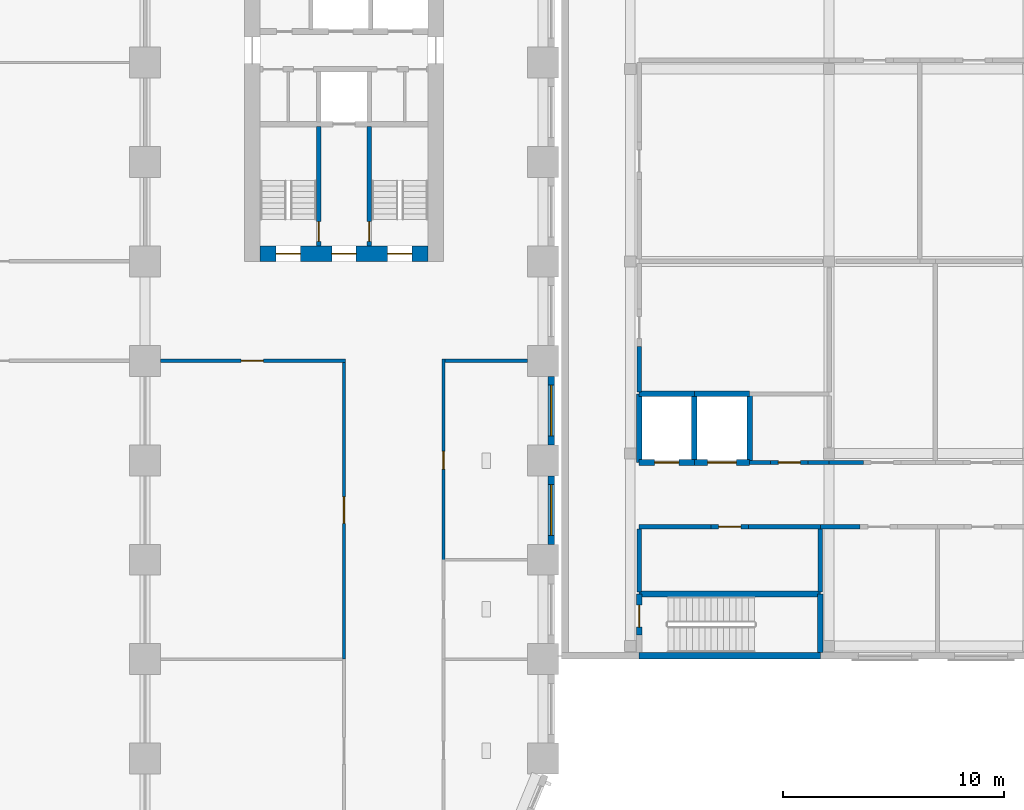
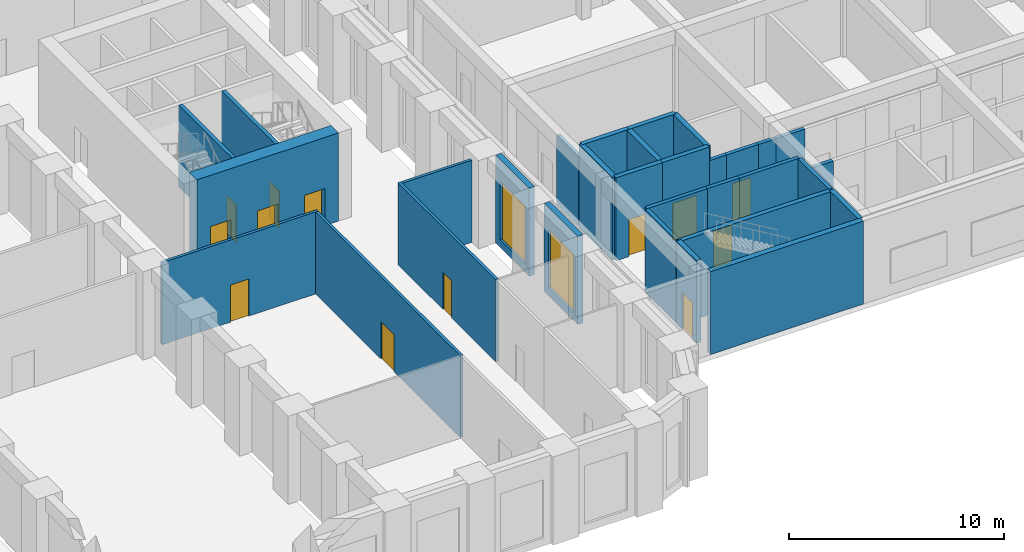
# One storey, part 5 of 19: 31 walls, 13 doors, 2 windows, 15 openings.
"""IFC4 building model written with IfcOpenShell, lengths in metres."""

from ifc_helpers import new_model, si_unit, direction, frame, frame_2d, origin, place, context, subcontext, project, spatial, rectangle, extrude, material, layer, layer_set, type_object, element, fill, save


model = new_model("IFC4")

# Units and contexts
model_context = context("Model", 3, precision=1e-05, world=origin(), true_north=direction((0.0, 1.0)))
body_context = subcontext(model_context, "Body", "Model", "MODEL_VIEW")
ifc_project = project(units=[si_unit("LENGTHUNIT", "METRE"), si_unit("AREAUNIT", "SQUARE_METRE"), si_unit("VOLUMEUNIT", "CUBIC_METRE"), si_unit("PLANEANGLEUNIT", "RADIAN"), si_unit("MASSUNIT", "GRAM", prefix="KILO")], contexts=[model_context])

# Site, building, storey
site_placement = place(None, origin())
site = spatial("IfcSite", under=ifc_project, at=site_placement, CompositionType="ELEMENT")
building_placement = place(site_placement, origin())
building = spatial("IfcBuilding", under=site, at=building_placement, Name="Girih Gate Residences", CompositionType="ELEMENT")
storey_placement = place(building_placement, frame((0.0, 0.0, 21.0)))
storey = spatial("IfcBuildingStorey", under=building, at=storey_placement, Name="L04", CompositionType="ELEMENT", Elevation=21.0)

# Wall, opening, door
ifc_material_1 = material(Name="Gypsum board on steel studs", Category="steel")
ifc_layer_1 = layer(ifc_material_1, 0.14990234375)
ifc_layer_set_1 = layer_set([ifc_layer_1], Name="Compartment wall 150 mm")
wall_type_1 = type_object("IfcWallType", Name="Compartment wall 150 mm", PredefinedType="PARTITIONING", material=ifc_layer_set_1)
wall_1_placement = place(storey_placement, frame((40.574951171875, 22.5, 0.0), z_axis=(0.0, 0.0, 1.0), x_axis=(-1.0, 0.0, 0.0)))
wall_1 = element("IfcWall", 1, at=wall_1_placement, inside=storey, type_object=wall_type_1, Name="L04 partition", PredefinedType="PARTITIONING", context=body_context, shape_type="SweptSolid", body=[
    extrude(rectangle(XDim=8.375, YDim=0.14990234375, at=frame_2d((4.1875, 0.0))), origin(), (0.0, 0.0, 1.0), 4.64990234375),
])
opening_1_placement = place(wall_1_placement, frame((3.72509765625, 0.0, 0.0)))
opening_1 = element("IfcOpeningElement", 2, at=opening_1_placement, cuts=wall_1, Name="Opening D-L04-S-006", PredefinedType="OPENING", context=body_context, shape_type="SweptSolid", body=[
    extrude(rectangle(XDim=1.0, YDim=2.10009765625, at=frame_2d((0.5, 1.050048828125))), frame((0.0, 0.0849609375, 0.0), z_axis=(0.0, -1.0, 0.0), x_axis=(1.0, 0.0, 0.0)), (0.0, 0.0, 1.0), 0.169921875),
])
ifc_material_2 = material(Name="Timber, fire-rated core", Category="wood")
door_type_1 = type_object("IfcDoorType", Name="Amenity door 1000x2100 FD30S", OperationType="SINGLE_SWING_LEFT", PredefinedType="DOOR", material=ifc_material_2)
door_1_placement = place(opening_1_placement, origin())
door_1 = element("IfcDoor", 3, at=door_1_placement, inside=storey, type_object=door_type_1, Name="Door L04-006", OperationType="SINGLE_SWING_RIGHT", OverallHeight=2.10009765625, OverallWidth=1.0, PredefinedType="DOOR", context=body_context, shape_type="SweptSolid", body=[
    extrude(rectangle(XDim=1.0, YDim=2.10009765625, at=frame_2d((0.5, 1.050048828125))), frame((0.0, 0.02490234375, 0.0), z_axis=(0.0, -1.0, 0.0), x_axis=(1.0, 0.0, 0.0)), (0.0, 0.0, 1.0), 0.050048828125),
])
fill(opening_1, door_1)

# Wall
wall_2_placement = place(storey_placement, frame((45.074951171875, 22.5, 0.0), z_axis=(0.0, 0.0, 1.0), x_axis=(1.0, 0.0, 0.0)))
element("IfcWall", 4, at=wall_2_placement, inside=storey, type_object=wall_type_1, Name="L04 partition", PredefinedType="PARTITIONING", context=body_context, shape_type="SweptSolid", body=[
    extrude(rectangle(XDim=3.72509765625, YDim=0.14990234375, at=frame_2d((1.862548828125, 0.0))), origin(), (0.0, 0.0, 1.0), 4.64990234375),
])

# Wall, opening, door
wall_3_placement = place(storey_placement, frame((40.5, 9.0, 0.0), z_axis=(0.0, 0.0, 1.0), x_axis=(0.0, 1.0, 0.0)))
wall_3 = element("IfcWall", 5, at=wall_3_placement, inside=storey, type_object=wall_type_1, Name="L04 partition", PredefinedType="PARTITIONING", context=body_context, shape_type="SweptSolid", body=[
    extrude(rectangle(XDim=13.425048828125, YDim=0.14990234375, at=frame_2d((6.71240234375, 0.0))), origin(), (0.0, 0.0, 1.0), 4.64990234375),
])
opening_2_placement = place(wall_3_placement, frame((6.14990234375, 0.0, 0.0)))
opening_2 = element("IfcOpeningElement", 6, at=opening_2_placement, cuts=wall_3, Name="Opening D-L04-S-010", PredefinedType="OPENING", context=body_context, shape_type="SweptSolid", body=[
    extrude(rectangle(XDim=1.199951171875, YDim=2.10009765625, at=frame_2d((0.60009765625, 1.050048828125))), frame((0.0, 0.0849609375, 0.0), z_axis=(0.0, -1.0, 0.0), x_axis=(1.0, 0.0, 0.0)), (0.0, 0.0, 1.0), 0.169921875),
])
door_type_2 = type_object("IfcDoorType", Name="Gallery fire door 1200x2100 FD30S", OperationType="SINGLE_SWING_LEFT", PredefinedType="DOOR", material=ifc_material_2)
door_2_placement = place(opening_2_placement, origin())
door_2 = element("IfcDoor", 7, at=door_2_placement, inside=storey, type_object=door_type_2, Name="Door L04-010", OperationType="SINGLE_SWING_RIGHT", OverallHeight=2.10009765625, OverallWidth=1.199951171875, PredefinedType="DOOR", context=body_context, shape_type="SweptSolid", body=[
    extrude(rectangle(XDim=1.199951171875, YDim=2.10009765625, at=frame_2d((0.60009765625, 1.050048828125))), frame((0.0, 0.02490234375, 0.0), z_axis=(0.0, -1.0, 0.0), x_axis=(1.0, 0.0, 0.0)), (0.0, 0.0, 1.0), 0.050048828125),
])
fill(opening_2, door_2)

wall_4_placement = place(storey_placement, frame((45.0, 22.574951171875, 0.0), z_axis=(0.0, 0.0, 1.0), x_axis=(0.0, -1.0, 0.0)))
wall_4 = element("IfcWall", 8, at=wall_4_placement, inside=storey, type_object=wall_type_1, Name="L04 partition", PredefinedType="PARTITIONING", context=body_context, shape_type="SweptSolid", body=[
    extrude(rectangle(XDim=9.074951171875, YDim=0.14990234375, at=frame_2d((4.53759765625, 0.0))), origin(), (0.0, 0.0, 1.0), 4.64990234375),
])
opening_3_placement = place(wall_4_placement, frame((4.175048828125, 0.0, 0.0)))
opening_3 = element("IfcOpeningElement", 9, at=opening_3_placement, cuts=wall_4, Name="Opening D-L04-S-013", PredefinedType="OPENING", context=body_context, shape_type="SweptSolid", body=[
    extrude(rectangle(XDim=0.800048828125, YDim=2.10009765625, at=frame_2d((0.39990234375, 1.050048828125))), frame((0.0, 0.0849609375, 0.0), z_axis=(0.0, -1.0, 0.0), x_axis=(1.0, 0.0, 0.0)), (0.0, 0.0, 1.0), 0.169921875),
])
ifc_material_3 = material(Name="Timber", Category="wood")
door_type_3 = type_object("IfcDoorType", Name="WC and store door 800x2100", OperationType="SINGLE_SWING_LEFT", PredefinedType="DOOR", material=ifc_material_3)
door_3_placement = place(opening_3_placement, origin())
door_3 = element("IfcDoor", 10, at=door_3_placement, inside=storey, type_object=door_type_3, Name="Door L04-013", OperationType="SINGLE_SWING_RIGHT", OverallHeight=2.10009765625, OverallWidth=0.800048828125, PredefinedType="DOOR", context=body_context, shape_type="SweptSolid", body=[
    extrude(rectangle(XDim=0.800048828125, YDim=2.10009765625, at=frame_2d((0.39990234375, 1.050048828125))), frame((0.0, 0.02490234375, 0.0), z_axis=(0.0, -1.0, 0.0), x_axis=(1.0, 0.0, 0.0)), (0.0, 0.0, 1.0), 0.050048828125),
])
fill(opening_3, door_3)

# Wall, openings, doors
ifc_material_4 = material(Name="Concrete C60/75", Category="concrete")
ifc_layer_2 = layer(ifc_material_4, 0.699951171875)
ifc_layer_set_2 = layer_set([ifc_layer_2], Name="Core wall RC 700 Concrete C60/75")
wall_type_2 = type_object("IfcWallType", Name="Core wall RC 700 Concrete C60/75", PredefinedType="SOLIDWALL", material=ifc_layer_set_2)
wall_5_placement = place(storey_placement, frame((36.699951171875, 27.35009765625, 0.0), z_axis=(0.0, 0.0, 1.0), x_axis=(1.0, 0.0, 0.0)))
wall_5 = element("IfcWall", 11, at=wall_5_placement, inside=storey, type_object=wall_type_2, Name="Core wall E-S L04", PredefinedType="SOLIDWALL", context=body_context, shape_type="SweptSolid", body=[
    extrude(rectangle(XDim=7.60009765625, YDim=0.699951171875, at=frame_2d((3.800048828125, 0.0))), origin(), (0.0, 0.0, 1.0), 5.0),
])
opening_4_placement = place(wall_5_placement, frame((5.77490234375, 0.0, 0.0)))
opening_4 = element("IfcOpeningElement", 12, at=opening_4_placement, cuts=wall_5, Name="Opening D-L04-E-011", PredefinedType="OPENING", context=body_context, shape_type="SweptSolid", body=[
    extrude(rectangle(XDim=1.10009765625, YDim=2.10009765625, at=frame_2d((0.550048828125, 1.050048828125))), frame((0.0, 0.35986328125, 0.0), z_axis=(0.0, -1.0, 0.0), x_axis=(1.0, 0.0, 0.0)), (0.0, 0.0, 1.0), 0.719970703125),
])
opening_5_placement = place(wall_5_placement, frame((3.25, 0.0, 0.0)))
opening_5 = element("IfcOpeningElement", 13, at=opening_5_placement, cuts=wall_5, Name="Opening D-L04-E-012", PredefinedType="OPENING", context=body_context, shape_type="SweptSolid", body=[
    extrude(rectangle(XDim=1.10009765625, YDim=2.10009765625, at=frame_2d((0.550048828125, 1.050048828125))), frame((0.0, 0.35986328125, 0.0), z_axis=(0.0, -1.0, 0.0), x_axis=(1.0, 0.0, 0.0)), (0.0, 0.0, 1.0), 0.719970703125),
])
opening_6_placement = place(wall_5_placement, frame((0.72509765625, 0.0, 0.0)))
opening_6 = element("IfcOpeningElement", 14, at=opening_6_placement, cuts=wall_5, Name="Opening D-L04-E-013", PredefinedType="OPENING", context=body_context, shape_type="SweptSolid", body=[
    extrude(rectangle(XDim=1.10009765625, YDim=2.10009765625, at=frame_2d((0.550048828125, 1.050048828125))), frame((0.0, 0.35986328125, 0.0), z_axis=(0.0, -1.0, 0.0), x_axis=(1.0, 0.0, 0.0)), (0.0, 0.0, 1.0), 0.719970703125),
])
ifc_material_5 = material(Name="Painted steel, fire-resisting", Category="steel")
door_type_4 = type_object("IfcDoorType", Name="Fire door 1100x2100", OperationType="SINGLE_SWING_LEFT", PredefinedType="DOOR", material=ifc_material_5)
door_4_placement = place(opening_4_placement, origin())
door_4 = element("IfcDoor", 15, at=door_4_placement, inside=storey, type_object=door_type_4, Name="L04 E core door sta-out", OperationType="SINGLE_SWING_LEFT", OverallHeight=2.10009765625, OverallWidth=1.10009765625, PredefinedType="DOOR", context=body_context, shape_type="SweptSolid", body=[
    extrude(rectangle(XDim=1.10009765625, YDim=2.10009765625, at=frame_2d((0.550048828125, 1.050048828125))), frame((0.0, 0.02490234375, 0.0), z_axis=(0.0, -1.0, 0.0), x_axis=(1.0, 0.0, 0.0)), (0.0, 0.0, 1.0), 0.050048828125),
])
fill(opening_4, door_4)
door_5_placement = place(opening_5_placement, origin())
door_5 = element("IfcDoor", 16, at=door_5_placement, inside=storey, type_object=door_type_4, Name="L04 E core door ffl-out", OperationType="SINGLE_SWING_LEFT", OverallHeight=2.10009765625, OverallWidth=1.10009765625, PredefinedType="DOOR", context=body_context, shape_type="SweptSolid", body=[
    extrude(rectangle(XDim=1.10009765625, YDim=2.10009765625, at=frame_2d((0.550048828125, 1.050048828125))), frame((0.0, 0.02490234375, 0.0), z_axis=(0.0, -1.0, 0.0), x_axis=(1.0, 0.0, 0.0)), (0.0, 0.0, 1.0), 0.050048828125),
])
fill(opening_5, door_5)
door_6_placement = place(opening_6_placement, origin())
door_6 = element("IfcDoor", 17, at=door_6_placement, inside=storey, type_object=door_type_4, Name="L04 E core door stb-out", OperationType="SINGLE_SWING_LEFT", OverallHeight=2.10009765625, OverallWidth=1.10009765625, PredefinedType="DOOR", context=body_context, shape_type="SweptSolid", body=[
    extrude(rectangle(XDim=1.10009765625, YDim=2.10009765625, at=frame_2d((0.550048828125, 1.050048828125))), frame((0.0, 0.02490234375, 0.0), z_axis=(0.0, -1.0, 0.0), x_axis=(1.0, 0.0, 0.0)), (0.0, 0.0, 1.0), 0.050048828125),
])
fill(opening_6, door_6)

# Wall
ifc_material_6 = material(Name="Fire-rated gypsum partition")
ifc_layer_3 = layer(ifc_material_6, 0.199951171875)
ifc_layer_set_3 = layer_set([ifc_layer_3], Name="HC Corridor wall 200 EI 60")
wall_type_3 = type_object("IfcWallType", Name="HC Corridor wall 200 EI 60", PredefinedType="PARTITIONING", material=ifc_layer_set_3)
wall_6_placement = place(storey_placement, frame((53.85009765625, 15.0, 0.0), z_axis=(0.0, 0.0, 1.0), x_axis=(1.0, 0.0, 0.0)))
element("IfcWall", 18, at=wall_6_placement, inside=storey, type_object=wall_type_3, Name="L04 wall x15.00/53.9", PredefinedType="PARTITIONING", context=body_context, shape_type="SweptSolid", body=[
    extrude(rectangle(XDim=3.25, YDim=0.199951171875, at=frame_2d((1.625, 0.0))), origin(), (0.0, 0.0, 1.0), 4.699951171875),
])

# Wall, opening, door
wall_7_placement = place(storey_placement, frame((58.800048828125, 15.0, 0.0), z_axis=(0.0, 0.0, 1.0), x_axis=(-1.0, 0.0, 0.0)))
wall_7 = element("IfcWall", 19, at=wall_7_placement, inside=storey, type_object=wall_type_3, Name="L04 wall x15.00/57.1", PredefinedType="PARTITIONING", context=body_context, shape_type="SweptSolid", body=[
    extrude(rectangle(XDim=1.699951171875, YDim=0.199951171875, at=frame_2d((0.85009765625, 0.0))), origin(), (0.0, 0.0, 1.0), 4.699951171875),
])
opening_7_placement = place(wall_7_placement, frame((0.35009765625, 0.0, 0.0)))
opening_7 = element("IfcOpeningElement", 20, at=opening_7_placement, cuts=wall_7, Name="Opening HC-L04-D07", PredefinedType="OPENING", context=body_context, shape_type="SweptSolid", body=[
    extrude(rectangle(XDim=1.0, YDim=2.10009765625, at=frame_2d((0.5, 1.050048828125))), frame((0.0, 0.10986328125, 0.0), z_axis=(0.0, -1.0, 0.0), x_axis=(1.0, 0.0, 0.0)), (0.0, 0.0, 1.0), 0.219970703125),
])
ifc_material_7 = material(Name="Timber door set", Category="wood")
door_type_5 = type_object("IfcDoorType", Name="HC Door 1000x2100 FD30S", OperationType="NOTDEFINED", PredefinedType="DOOR", material=ifc_material_7)
door_7_placement = place(opening_7_placement, origin())
door_7 = element("IfcDoor", 21, at=door_7_placement, inside=storey, type_object=door_type_5, Name="L04 Cleaners store door", OperationType="SINGLE_SWING_RIGHT", OverallHeight=2.10009765625, OverallWidth=1.0, PredefinedType="DOOR", context=body_context, shape_type="SweptSolid", body=[
    extrude(rectangle(XDim=1.0, YDim=2.10009765625, at=frame_2d((0.5, 1.050048828125))), frame((0.0, 0.02490234375, 0.0), z_axis=(0.0, -1.0, 0.0), x_axis=(1.0, 0.0, 0.0)), (0.0, 0.0, 1.0), 0.050048828125),
])
fill(opening_7, door_7)

# Walls
wall_8_placement = place(storey_placement, frame((58.800048828125, 15.0, 0.0), z_axis=(0.0, 0.0, 1.0), x_axis=(1.0, 0.0, 0.0)))
element("IfcWall", 22, at=wall_8_placement, inside=storey, type_object=wall_type_3, Name="L04 wall x15.00/58.8", PredefinedType="PARTITIONING", context=body_context, shape_type="SweptSolid", body=[
    extrude(rectangle(XDim=3.25, YDim=0.199951171875, at=frame_2d((1.625, 0.0))), origin(), (0.0, 0.0, 1.0), 4.699951171875),
])
wall_9_placement = place(storey_placement, frame((62.050048828125, 15.0, 0.0), z_axis=(0.0, 0.0, 1.0), x_axis=(1.0, 0.0, 0.0)))
element("IfcWall", 23, at=wall_9_placement, inside=storey, type_object=wall_type_3, Name="L04 wall x15.00/62.0", PredefinedType="PARTITIONING", context=body_context, shape_type="SweptSolid", body=[
    extrude(rectangle(XDim=1.800048828125, YDim=0.199951171875, at=frame_2d((0.89990234375, 0.0))), origin(), (0.0, 0.0, 1.0), 3.89990234375),
])
wall_10_placement = place(storey_placement, frame((58.85009765625, 17.89990234375, 0.0), z_axis=(0.0, 0.0, 1.0), x_axis=(1.0, 0.0, 0.0)))
element("IfcWall", 24, at=wall_10_placement, inside=storey, type_object=wall_type_3, Name="L04 wall x17.90/58.9", PredefinedType="PARTITIONING", context=body_context, shape_type="SweptSolid", body=[
    extrude(rectangle(XDim=0.949951171875, YDim=0.199951171875, at=frame_2d((0.47509765625, 0.0))), origin(), (0.0, 0.0, 1.0), 3.89990234375),
])

# Wall, opening, door
wall_11_placement = place(storey_placement, frame((59.800048828125, 17.89990234375, 0.0), z_axis=(0.0, 0.0, 1.0), x_axis=(1.0, 0.0, 0.0)))
wall_11 = element("IfcWall", 25, at=wall_11_placement, inside=storey, type_object=wall_type_3, Name="L04 wall x17.90/59.8", PredefinedType="PARTITIONING", context=body_context, shape_type="SweptSolid", body=[
    extrude(rectangle(XDim=1.699951171875, YDim=0.199951171875, at=frame_2d((0.85009765625, 0.0))), origin(), (0.0, 0.0, 1.0), 3.89990234375),
])
opening_8_placement = place(wall_11_placement, frame((0.35009765625, 0.0, 0.0)))
opening_8 = element("IfcOpeningElement", 26, at=opening_8_placement, cuts=wall_11, Name="Opening HC-L04-D14", PredefinedType="OPENING", context=body_context, shape_type="SweptSolid", body=[
    extrude(rectangle(XDim=1.0, YDim=2.10009765625, at=frame_2d((0.5, 1.050048828125))), frame((0.0, 0.10986328125, 0.0), z_axis=(0.0, -1.0, 0.0), x_axis=(1.0, 0.0, 0.0)), (0.0, 0.0, 1.0), 0.219970703125),
])
ifc_material_8 = material(Name="Steel door set", Category="steel")
door_type_6 = type_object("IfcDoorType", Name="HC Door 1000x2100 FD60", OperationType="NOTDEFINED", PredefinedType="DOOR", material=ifc_material_8)
door_8_placement = place(opening_8_placement, origin())
door_8 = element("IfcDoor", 27, at=door_8_placement, inside=storey, type_object=door_type_6, Name="L04 Electrical riser door", OperationType="SINGLE_SWING_RIGHT", OverallHeight=2.10009765625, OverallWidth=1.0, PredefinedType="DOOR", context=body_context, shape_type="SweptSolid", body=[
    extrude(rectangle(XDim=1.0, YDim=2.10009765625, at=frame_2d((0.5, 1.050048828125))), frame((0.0, 0.02490234375, 0.0), z_axis=(0.0, -1.0, 0.0), x_axis=(1.0, 0.0, 0.0)), (0.0, 0.0, 1.0), 0.050048828125),
])
fill(opening_8, door_8)

# Walls
wall_12_placement = place(storey_placement, frame((61.5, 17.89990234375, 0.0), z_axis=(0.0, 0.0, 1.0), x_axis=(1.0, 0.0, 0.0)))
element("IfcWall", 28, at=wall_12_placement, inside=storey, type_object=wall_type_3, Name="L04 wall x17.90/61.5", PredefinedType="PARTITIONING", context=body_context, shape_type="SweptSolid", body=[
    extrude(rectangle(XDim=0.949951171875, YDim=0.199951171875, at=frame_2d((0.47509765625, 0.0))), origin(), (0.0, 0.0, 1.0), 3.89990234375),
])
wall_13_placement = place(storey_placement, frame((62.449951171875, 17.89990234375, 0.0), z_axis=(0.0, 0.0, 1.0), x_axis=(1.0, 0.0, 0.0)))
element("IfcWall", 29, at=wall_13_placement, inside=storey, type_object=wall_type_3, Name="L04 wall x17.90/62.5", PredefinedType="PARTITIONING", context=body_context, shape_type="SweptSolid", body=[
    extrude(rectangle(XDim=1.550048828125, YDim=0.199951171875, at=frame_2d((0.77490234375, 0.0))), origin(), (0.0, 0.0, 1.0), 3.89990234375),
])
wall_14_placement = place(storey_placement, frame((53.85009765625, 12.050048828125, 0.0), z_axis=(0.0, 0.0, 1.0), x_axis=(0.0, 1.0, 0.0)))
element("IfcWall", 30, at=wall_14_placement, inside=storey, type_object=wall_type_3, Name="L04 wall y53.85/12.1", PredefinedType="PARTITIONING", context=body_context, shape_type="SweptSolid", body=[
    extrude(rectangle(XDim=2.849853515625, YDim=0.199951171875, at=frame_2d((1.4248046875, 0.0))), origin(), (0.0, 0.0, 1.0), 4.699951171875),
])
wall_15_placement = place(storey_placement, frame((53.85009765625, 21.10009765625, 0.0), z_axis=(0.0, 0.0, 1.0), x_axis=(0.0, 1.0, 0.0)))
element("IfcWall", 31, at=wall_15_placement, inside=storey, type_object=wall_type_3, Name="L04 wall y53.85/21.1", PredefinedType="PARTITIONING", context=body_context, shape_type="SweptSolid", body=[
    extrude(rectangle(XDim=2.0498046875, YDim=0.199951171875, at=frame_2d((1.02490234375, 0.0))), origin(), (0.0, 0.0, 1.0), 3.89990234375),
])
ifc_material_9 = material(Name="Gypsum partition")
ifc_layer_4 = layer(ifc_material_9, 0.199951171875)
ifc_layer_set_4 = layer_set([ifc_layer_4], Name="HC Room partition 200 EI 30")
wall_type_4 = type_object("IfcWallType", Name="HC Room partition 200 EI 30", PredefinedType="PARTITIONING", material=ifc_layer_set_4)
wall_16_placement = place(storey_placement, frame((62.050048828125, 12.050048828125, 0.0), z_axis=(0.0, 0.0, 1.0), x_axis=(0.0, 1.0, 0.0)))
element("IfcWall", 32, at=wall_16_placement, inside=storey, type_object=wall_type_4, Name="L04 wall y62.05/12.1", PredefinedType="PARTITIONING", context=body_context, shape_type="SweptSolid", body=[
    extrude(rectangle(XDim=2.849853515625, YDim=0.199951171875, at=frame_2d((1.4248046875, 0.0))), origin(), (0.0, 0.0, 1.0), 4.699951171875),
])
ifc_material_10 = material(Name="Concrete C40/50", Category="concrete")
ifc_layer_5 = layer(ifc_material_10, 0.25)
ifc_layer_set_5 = layer_set([ifc_layer_5], Name="HC Shaft wall 250 C40/50")
wall_type_5 = type_object("IfcWallType", Name="HC Shaft wall 250 C40/50", PredefinedType="SHEAR", material=ifc_layer_set_5)
wall_17_placement = place(storey_placement, frame((53.85009765625, 11.949951171875, 0.0), z_axis=(0.0, 0.0, 1.0), x_axis=(1.0, 0.0, 0.0)))
element("IfcWall", 33, at=wall_17_placement, inside=storey, type_object=wall_type_5, Name="L04 wall x11.95/53.9", PredefinedType="SHEAR", context=body_context, shape_type="SweptSolid", body=[
    extrude(rectangle(XDim=8.199951171875, YDim=0.25, at=frame_2d((4.10009765625, 0.0))), origin(), (0.0, 0.0, 1.0), 4.699951171875),
])

# Wall, opening, door
wall_18_placement = place(storey_placement, frame((56.35009765625, 17.89990234375, 0.0), z_axis=(0.0, 0.0, 1.0), x_axis=(-1.0, 0.0, 0.0)))
wall_18 = element("IfcWall", 34, at=wall_18_placement, inside=storey, type_object=wall_type_5, Name="L04 wall x17.90/53.9", PredefinedType="SHEAR", context=body_context, shape_type="SweptSolid", body=[
    extrude(rectangle(XDim=2.5, YDim=0.25, at=frame_2d((1.25, 0.0))), origin(), (0.0, 0.0, 1.0), 4.699951171875),
])
opening_9_placement = place(wall_18_placement, frame((0.699951171875, 0.0, 0.0)))
opening_9 = element("IfcOpeningElement", 35, at=opening_9_placement, cuts=wall_18, Name="Opening HC-L04-D03", PredefinedType="OPENING", context=body_context, shape_type="SweptSolid", body=[
    extrude(rectangle(XDim=1.10009765625, YDim=2.10009765625, at=frame_2d((0.550048828125, 1.050048828125))), frame((0.0, 0.135009765625, 0.0), z_axis=(0.0, -1.0, 0.0), x_axis=(1.0, 0.0, 0.0)), (0.0, 0.0, 1.0), 0.27001953125),
])
ifc_material_11 = material(Name="Stainless steel door set", Category="steel")
door_type_7 = type_object("IfcDoorType", Name="HC Lift landing door 1100x2100", OperationType="NOTDEFINED", PredefinedType="DOOR", material=ifc_material_11)
door_9_placement = place(opening_9_placement, origin())
door_9 = element("IfcDoor", 36, at=door_9_placement, inside=storey, type_object=door_type_7, Name="L04 Lift 1 landing door", OperationType="SLIDING_TO_RIGHT", OverallHeight=2.10009765625, OverallWidth=1.10009765625, PredefinedType="DOOR", context=body_context, shape_type="SweptSolid", body=[
    extrude(rectangle(XDim=1.10009765625, YDim=2.10009765625, at=frame_2d((0.550048828125, 1.050048828125))), frame((0.0, 0.02490234375, 0.0), z_axis=(0.0, -1.0, 0.0), x_axis=(1.0, 0.0, 0.0)), (0.0, 0.0, 1.0), 0.050048828125),
])
fill(opening_9, door_9)

wall_19_placement = place(storey_placement, frame((58.85009765625, 17.89990234375, 0.0), z_axis=(0.0, 0.0, 1.0), x_axis=(-1.0, 0.0, 0.0)))
wall_19 = element("IfcWall", 37, at=wall_19_placement, inside=storey, type_object=wall_type_5, Name="L04 wall x17.90/56.4", PredefinedType="SHEAR", context=body_context, shape_type="SweptSolid", body=[
    extrude(rectangle(XDim=2.5, YDim=0.25, at=frame_2d((1.25, 0.0))), origin(), (0.0, 0.0, 1.0), 4.699951171875),
])
opening_10_placement = place(wall_19_placement, frame((0.60009765625, 0.0, 0.0)))
opening_10 = element("IfcOpeningElement", 38, at=opening_10_placement, cuts=wall_19, Name="Opening HC-L04-D04", PredefinedType="OPENING", context=body_context, shape_type="SweptSolid", body=[
    extrude(rectangle(XDim=1.300048828125, YDim=2.10009765625, at=frame_2d((0.64990234375, 1.050048828125))), frame((0.0, 0.135009765625, 0.0), z_axis=(0.0, -1.0, 0.0), x_axis=(1.0, 0.0, 0.0)), (0.0, 0.0, 1.0), 0.27001953125),
])
door_type_8 = type_object("IfcDoorType", Name="HC Bed lift landing door 1300x2100", OperationType="NOTDEFINED", PredefinedType="DOOR", material=ifc_material_11)
door_10_placement = place(opening_10_placement, origin())
door_10 = element("IfcDoor", 39, at=door_10_placement, inside=storey, type_object=door_type_8, Name="L04 Lift 2 landing door", OperationType="SLIDING_TO_LEFT", OverallHeight=2.10009765625, OverallWidth=1.300048828125, PredefinedType="DOOR", context=body_context, shape_type="SweptSolid", body=[
    extrude(rectangle(XDim=1.300048828125, YDim=2.10009765625, at=frame_2d((0.64990234375, 1.050048828125))), frame((0.0, 0.02490234375, 0.0), z_axis=(0.0, -1.0, 0.0), x_axis=(1.0, 0.0, 0.0)), (0.0, 0.0, 1.0), 0.050048828125),
])
fill(opening_10, door_10)

# Walls
for number, where, z_axis, x_axis, name in (
    (40, (53.85009765625, 21.0, 0.0), (0.0, 0.0, 1.0), (1.0, 0.0, 0.0), "L04 wall x21.00/53.9"),
    (41, (56.35009765625, 21.0, 0.0), (0.0, 0.0, 1.0), (1.0, 0.0, 0.0), "L04 wall x21.00/56.4"),
):
    element("IfcWall", number, at=place(storey_placement, frame(where, z_axis=z_axis, x_axis=x_axis)), inside=storey, type_object=wall_type_5, Name=name, PredefinedType="SHEAR", context=body_context, shape_type="SweptSolid", body=[
        extrude(rectangle(XDim=2.5, YDim=0.25, at=frame_2d((1.25, 0.0))), origin(), (0.0, 0.0, 1.0), 4.699951171875),
    ])

# Wall, opening, door
wall_20_placement = place(storey_placement, frame((53.85009765625, 10.10009765625, 0.0), z_axis=(0.0, 0.0, 1.0), x_axis=(0.0, 1.0, 0.0)))
wall_20 = element("IfcWall", 42, at=wall_20_placement, inside=storey, type_object=wall_type_5, Name="L04 wall y53.85/10.1", PredefinedType="SHEAR", context=body_context, shape_type="SweptSolid", body=[
    extrude(rectangle(XDim=1.849853515625, YDim=0.25, at=frame_2d((0.9248046875, 0.0))), origin(), (0.0, 0.0, 1.0), 4.699951171875),
])
opening_11_placement = place(wall_20_placement, frame((0.35009765625, 0.0, 0.0)))
opening_11 = element("IfcOpeningElement", 43, at=opening_11_placement, cuts=wall_20, Name="Opening HC-L04-D01", PredefinedType="OPENING", context=body_context, shape_type="SweptSolid", body=[
    extrude(rectangle(XDim=1.0, YDim=2.10009765625, at=frame_2d((0.5, 1.050048828125))), frame((0.0, 0.135009765625, 0.0), z_axis=(0.0, -1.0, 0.0), x_axis=(1.0, 0.0, 0.0)), (0.0, 0.0, 1.0), 0.27001953125),
])
door_type_9 = type_object("IfcDoorType", Name="HC Stair door 1000x2100 FD60", OperationType="NOTDEFINED", PredefinedType="DOOR", material=ifc_material_8)
door_11_placement = place(opening_11_placement, origin())
door_11 = element("IfcDoor", 44, at=door_11_placement, inside=storey, type_object=door_type_9, Name="L04 Stair A door", OperationType="SINGLE_SWING_LEFT", OverallHeight=2.10009765625, OverallWidth=1.0, PredefinedType="DOOR", context=body_context, shape_type="SweptSolid", body=[
    extrude(rectangle(XDim=1.0, YDim=2.10009765625, at=frame_2d((0.5, 1.050048828125))), frame((0.0, 0.02490234375, 0.0), z_axis=(0.0, -1.0, 0.0), x_axis=(1.0, 0.0, 0.0)), (0.0, 0.0, 1.0), 0.050048828125),
])
fill(opening_11, door_11)

# Walls
for number, where, z_axis, x_axis, name in (
    (45, (53.85009765625, 17.89990234375, 0.0), (0.0, 0.0, 1.0), (0.0, 1.0, 0.0), "L04 wall y53.85/17.9"),
    (46, (56.35009765625, 17.89990234375, 0.0), (0.0, 0.0, 1.0), (0.0, 1.0, 0.0), "L04 wall y56.35/17.9"),
    (47, (58.85009765625, 17.89990234375, 0.0), (0.0, 0.0, 1.0), (0.0, 1.0, 0.0), "L04 wall y58.85/17.9"),
):
    element("IfcWall", number, at=place(storey_placement, frame(where, z_axis=z_axis, x_axis=x_axis)), inside=storey, type_object=wall_type_5, Name=name, PredefinedType="SHEAR", context=body_context, shape_type="SweptSolid", body=[
        extrude(rectangle(XDim=3.10009765625, YDim=0.25, at=frame_2d((1.550048828125, 0.0))), origin(), (0.0, 0.0, 1.0), 4.699951171875),
    ])
wall_21_placement = place(storey_placement, frame((62.050048828125, 9.300048828125, 0.0), z_axis=(0.0, 0.0, 1.0), x_axis=(0.0, 1.0, 0.0)))
element("IfcWall", 48, at=wall_21_placement, inside=storey, type_object=wall_type_5, Name="L04 wall y62.05/9.3", PredefinedType="SHEAR", context=body_context, shape_type="SweptSolid", body=[
    extrude(rectangle(XDim=2.64990234375, YDim=0.25, at=frame_2d((1.324951171875, 0.0))), origin(), (0.0, 0.0, 1.0), 4.699951171875),
])
ifc_material_12 = material(Name="Precast concrete C40/50", Category="concrete")
ifc_layer_6 = layer(ifc_material_12, 0.300048828125)
ifc_layer_set_6 = layer_set([ifc_layer_6], Name="HC Stair shaft facade wall 300")
wall_type_6 = type_object("IfcWallType", Name="HC Stair shaft facade wall 300", PredefinedType="SHEAR", material=ifc_layer_set_6)
wall_22_placement = place(storey_placement, frame((62.050048828125, 9.14990234375, 0.0), z_axis=(0.0, 0.0, 1.0), x_axis=(-1.0, 0.0, 0.0)))
element("IfcWall", 49, at=wall_22_placement, inside=storey, type_object=wall_type_6, Name="L04 south facade wall over stair A", PredefinedType="SHEAR", context=body_context, shape_type="SweptSolid", body=[
    extrude(rectangle(XDim=8.199951171875, YDim=0.300048828125, at=frame_2d((4.10009765625, 0.0))), origin(), (0.0, 0.0, 1.0), 4.699951171875),
])

# Wall, opening, window
ifc_material_13 = material(Name="Precast concrete C50/60", Category="concrete")
ifc_layer_7 = layer(ifc_material_13, 0.080078125, Name="Outer leaf")
ifc_material_14 = material(Name="Rigid PIR insulation")
ifc_layer_8 = layer(ifc_material_14, 0.14990234375, Name="Insulation")
ifc_layer_9 = layer(ifc_material_12, 0.070068359375, Name="Inner leaf")
ifc_layer_set_7 = layer_set([ifc_layer_7, ifc_layer_8, ifc_layer_9], Name="Precast concrete C50/60 external wall 300")
wall_type_7 = type_object("IfcWallType", Name="Precast concrete C50/60 external wall 300", PredefinedType="SOLIDWALL", material=ifc_layer_set_7)
wall_23_placement = place(storey_placement, frame((49.875, 17.300048828125, 0.0), z_axis=(0.0, 0.0, 1.0), x_axis=(0.0, -1.0, 0.0)))
wall_23 = element("IfcWall", 50, at=wall_23_placement, inside=storey, type_object=wall_type_7, Name="External wall E0495_0045.2", PredefinedType="SOLIDWALL", context=body_context, shape_type="SweptSolid", body=[
    extrude(rectangle(XDim=3.10009765625, YDim=0.300048828125, at=frame_2d((1.550048828125, 0.0))), origin(), (0.0, 0.0, 1.0), 5.0),
])
opening_12_placement = place(wall_23_placement, frame((0.39990234375, 0.0, 0.449951171875)))
opening_12 = element("IfcOpeningElement", 51, at=opening_12_placement, cuts=wall_23, Name="Opening W-3", PredefinedType="OPENING", context=body_context, shape_type="SweptSolid", body=[
    extrude(rectangle(XDim=2.300048828125, YDim=3.300048828125, at=frame_2d((1.14990234375, 1.64990234375))), frame((0.0, 0.159912109375, 0.0), z_axis=(0.0, -1.0, 0.0), x_axis=(1.0, 0.0, 0.0)), (0.0, 0.0, 1.0), 0.320068359375),
])
ifc_material_15 = material(Name="Double glazing in aluminium frame", Category="aluminium")
window_type = type_object("IfcWindowType", Name="Window W-3 2300x3300", PartitioningType="SINGLE_PANEL", PredefinedType="WINDOW", material=ifc_material_15)
window_1_placement = place(opening_12_placement, origin())
window_1 = element("IfcWindow", 52, at=window_1_placement, inside=storey, type_object=window_type, Name="Window W-3 E0495_0045.2", OverallHeight=3.300048828125, OverallWidth=2.300048828125, PartitioningType="SINGLE_PANEL", PredefinedType="WINDOW", context=body_context, shape_type="SweptSolid", body=[
    extrude(rectangle(XDim=2.300048828125, YDim=3.300048828125, at=frame_2d((1.14990234375, 1.64990234375))), frame((0.0, 0.030029296875, 0.0), z_axis=(0.0, -1.0, 0.0), x_axis=(1.0, 0.0, 0.0)), (0.0, 0.0, 1.0), 0.06005859375),
])
fill(opening_12, window_1)

wall_24_placement = place(storey_placement, frame((49.875, 21.800048828125, 0.0), z_axis=(0.0, 0.0, 1.0), x_axis=(0.0, -1.0, 0.0)))
wall_24 = element("IfcWall", 53, at=wall_24_placement, inside=storey, type_object=wall_type_7, Name="External wall E0495_0045.3", PredefinedType="SOLIDWALL", context=body_context, shape_type="SweptSolid", body=[
    extrude(rectangle(XDim=3.10009765625, YDim=0.300048828125, at=frame_2d((1.550048828125, 0.0))), origin(), (0.0, 0.0, 1.0), 5.0),
])
opening_13_placement = place(wall_24_placement, frame((0.39990234375, 0.0, 0.449951171875)))
opening_13 = element("IfcOpeningElement", 54, at=opening_13_placement, cuts=wall_24, Name="Opening W-3", PredefinedType="OPENING", context=body_context, shape_type="SweptSolid", body=[
    extrude(rectangle(XDim=2.300048828125, YDim=3.300048828125, at=frame_2d((1.14990234375, 1.64990234375))), frame((0.0, 0.159912109375, 0.0), z_axis=(0.0, -1.0, 0.0), x_axis=(1.0, 0.0, 0.0)), (0.0, 0.0, 1.0), 0.320068359375),
])
window_2_placement = place(opening_13_placement, origin())
window_2 = element("IfcWindow", 55, at=window_2_placement, inside=storey, type_object=window_type, Name="Window W-3 E0495_0045.3", OverallHeight=3.300048828125, OverallWidth=2.300048828125, PartitioningType="SINGLE_PANEL", PredefinedType="WINDOW", context=body_context, shape_type="SweptSolid", body=[
    extrude(rectangle(XDim=2.300048828125, YDim=3.300048828125, at=frame_2d((1.14990234375, 1.64990234375))), frame((0.0, 0.030029296875, 0.0), z_axis=(0.0, -1.0, 0.0), x_axis=(1.0, 0.0, 0.0)), (0.0, 0.0, 1.0), 0.06005859375),
])
fill(opening_13, window_2)

# Wall, opening, door
ifc_layer_10 = layer(ifc_material_10, 0.199951171875)
ifc_layer_set_8 = layer_set([ifc_layer_10], Name="Shaft wall 200")
wall_type_8 = type_object("IfcWallType", Name="Shaft wall 200", PredefinedType="SOLIDWALL", material=ifc_layer_set_8)
wall_25_placement = place(storey_placement, frame((41.64990234375, 27.699951171875, 0.0), z_axis=(0.0, 0.0, 1.0), x_axis=(0.0, 1.0, 0.0)))
wall_25 = element("IfcWall", 56, at=wall_25_placement, inside=storey, type_object=wall_type_8, Name="L04 E core wall V1a", PredefinedType="SOLIDWALL", context=body_context, shape_type="SweptSolid", body=[
    extrude(rectangle(XDim=5.400146484375, YDim=0.199951171875, at=frame_2d((2.7001953125, 0.0))), origin(), (0.0, 0.0, 1.0), 4.64990234375),
])
opening_14_placement = place(wall_25_placement, frame((0.199951171875, 0.0, 0.0)))
opening_14 = element("IfcOpeningElement", 57, at=opening_14_placement, cuts=wall_25, Name="Opening D-L04-E-001", PredefinedType="OPENING", context=body_context, shape_type="SweptSolid", body=[
    extrude(rectangle(XDim=0.89990234375, YDim=2.10009765625, at=frame_2d((0.449951171875, 1.050048828125))), frame((0.0, 0.10986328125, 0.0), z_axis=(0.0, -1.0, 0.0), x_axis=(1.0, 0.0, 0.0)), (0.0, 0.0, 1.0), 0.219970703125),
])
door_type_10 = type_object("IfcDoorType", Name="Fire door 900x2100", OperationType="SINGLE_SWING_LEFT", PredefinedType="DOOR", material=ifc_material_5)
door_12_placement = place(opening_14_placement, origin())
door_12 = element("IfcDoor", 58, at=door_12_placement, inside=storey, type_object=door_type_10, Name="L04 E door stair 1 to firefighting lobby", OperationType="SINGLE_SWING_LEFT", OverallHeight=2.10009765625, OverallWidth=0.89990234375, PredefinedType="DOOR", context=body_context, shape_type="SweptSolid", body=[
    extrude(rectangle(XDim=0.89990234375, YDim=2.10009765625, at=frame_2d((0.449951171875, 1.050048828125))), frame((0.0, 0.02490234375, 0.0), z_axis=(0.0, -1.0, 0.0), x_axis=(1.0, 0.0, 0.0)), (0.0, 0.0, 1.0), 0.050048828125),
])
fill(opening_14, door_12)

wall_26_placement = place(storey_placement, frame((39.35009765625, 27.699951171875, 0.0), z_axis=(0.0, 0.0, 1.0), x_axis=(0.0, 1.0, 0.0)))
wall_26 = element("IfcWall", 59, at=wall_26_placement, inside=storey, type_object=wall_type_8, Name="L04 E core wall V2a", PredefinedType="SOLIDWALL", context=body_context, shape_type="SweptSolid", body=[
    extrude(rectangle(XDim=5.400146484375, YDim=0.199951171875, at=frame_2d((2.7001953125, 0.0))), origin(), (0.0, 0.0, 1.0), 4.64990234375),
])
opening_15_placement = place(wall_26_placement, frame((0.199951171875, 0.0, 0.0)))
opening_15 = element("IfcOpeningElement", 60, at=opening_15_placement, cuts=wall_26, Name="Opening D-L04-E-002", PredefinedType="OPENING", context=body_context, shape_type="SweptSolid", body=[
    extrude(rectangle(XDim=0.89990234375, YDim=2.10009765625, at=frame_2d((0.449951171875, 1.050048828125))), frame((0.0, 0.10986328125, 0.0), z_axis=(0.0, -1.0, 0.0), x_axis=(1.0, 0.0, 0.0)), (0.0, 0.0, 1.0), 0.219970703125),
])
door_13_placement = place(opening_15_placement, origin())
door_13 = element("IfcDoor", 61, at=door_13_placement, inside=storey, type_object=door_type_10, Name="L04 E door stair 2 to firefighting lobby", OperationType="SINGLE_SWING_LEFT", OverallHeight=2.10009765625, OverallWidth=0.89990234375, PredefinedType="DOOR", context=body_context, shape_type="SweptSolid", body=[
    extrude(rectangle(XDim=0.89990234375, YDim=2.10009765625, at=frame_2d((0.449951171875, 1.050048828125))), frame((0.0, 0.02490234375, 0.0), z_axis=(0.0, -1.0, 0.0), x_axis=(1.0, 0.0, 0.0)), (0.0, 0.0, 1.0), 0.050048828125),
])
fill(opening_15, door_13)

save(model, "model.ifc")
